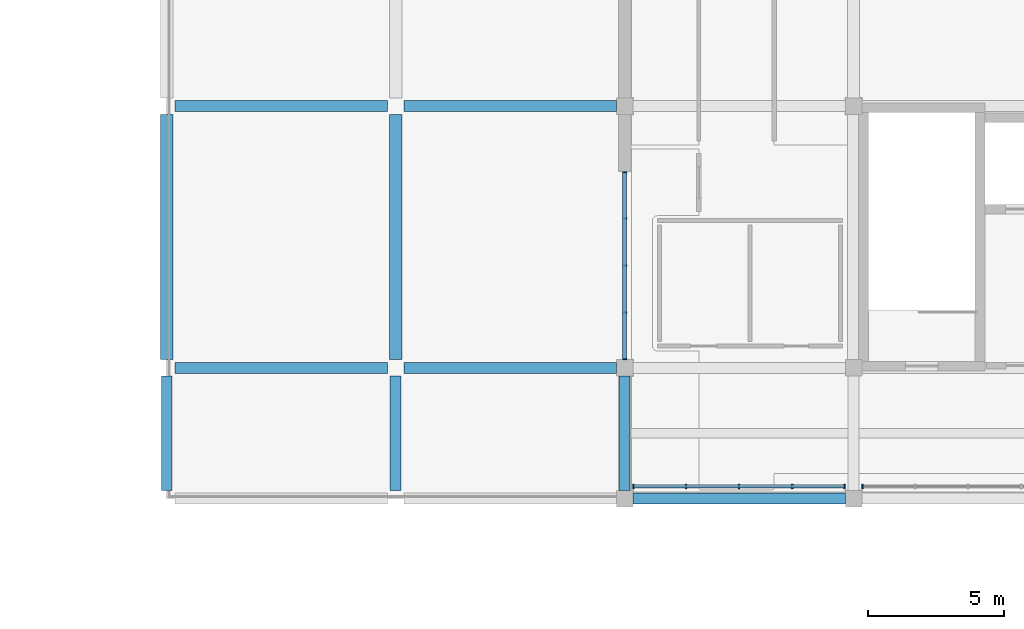
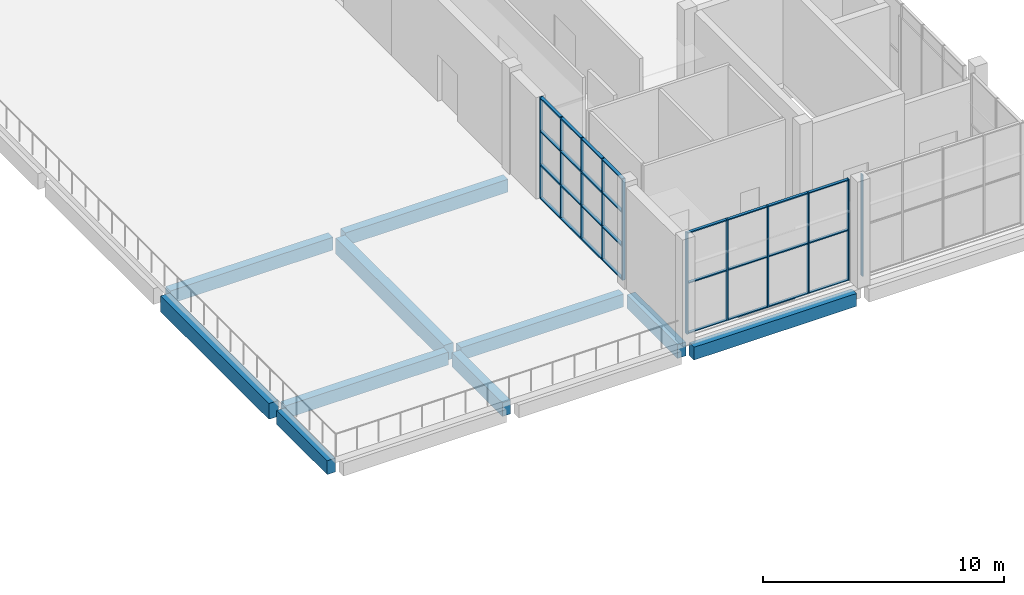
# One storey, part 2 of 15: 18 members, 10 beams, 3 elements without a shape of their own.
"""IFC4 building model written with IfcOpenShell, lengths in metres."""

from ifc_helpers import new_model, si_unit, direction, frame, origin, origin_2d, place, context, subcontext, project, spatial, rectangle, extrude, material, material_profile, profile_set, type_object, element, aggregate, save


model = new_model("IFC4")

# Units and contexts
model_context = context("Model", 3, precision=1e-05, world=origin(), true_north=direction((0.0, 1.0)))
body_context = subcontext(model_context, "Body", "Model", "MODEL_VIEW")
ifc_project = project(units=[si_unit("LENGTHUNIT", "METRE"), si_unit("AREAUNIT", "SQUARE_METRE"), si_unit("VOLUMEUNIT", "CUBIC_METRE"), si_unit("PLANEANGLEUNIT", "RADIAN"), si_unit("MASSUNIT", "GRAM", prefix="KILO")], contexts=[model_context])

# Site, building, storey
site_placement = place(None, origin())
site = spatial("IfcSite", under=ifc_project, at=site_placement, CompositionType="ELEMENT")
building_placement = place(site_placement, origin())
building = spatial("IfcBuilding", under=site, at=building_placement, Name="Shalvenor Court Art Gallery", CompositionType="ELEMENT")
storey_placement = place(building_placement, frame((0.0, 0.0, 27.0)))
storey = spatial("IfcBuildingStorey", under=building, at=storey_placement, Name="L05", CompositionType="ELEMENT", Elevation=27.0)

# Beams
ifc_material_1 = material(Name="Concrete C40/50", Category="concrete")
ifc_material_profile_1 = material_profile(ifc_material_1, rectangle(XDim=0.449951171875, YDim=0.800048828125, at=origin_2d()), Name="RC 450x800")
ifc_profile_set_1 = profile_set([ifc_material_profile_1], Name="Concrete C40/50")
beam_type_1 = type_object("IfcBeamType", Name="B-03", PredefinedType="BEAM", material=ifc_profile_set_1)
for number, where, z_axis, x_axis, name in (
    (1, (142.800048828125, 50.699951171875, -0.699951171875), (0.0, 1.0, 0.0), (-1.0, 0.0, 0.0), "L05 Girder BM-L05-B-03-1274"),
    (2, (151.199951171875, 50.699951171875, -0.699951171875), (0.0, 1.0, 0.0), (-1.0, 0.0, 0.0), "L05 Girder BM-L05-B-03-1280"),
):
    element("IfcBeam", number, at=place(storey_placement, frame(where, z_axis=z_axis, x_axis=x_axis)), inside=storey, type_object=beam_type_1, Name=name, PredefinedType="BEAM", context=body_context, shape_type="SweptSolid", body=[
        extrude(rectangle(XDim=0.449951171875, YDim=0.800048828125, at=origin_2d()), origin(), (0.0, 0.0, 1.0), 9.0),
    ])
ifc_material_2 = material(Name="Concrete C40/50", Category="concrete")
ifc_material_profile_2 = material_profile(ifc_material_2, rectangle(XDim=0.39990234375, YDim=0.699951171875, at=origin_2d()), Name="RC 400x700")
ifc_profile_set_2 = profile_set([ifc_material_profile_2], Name="Concrete C40/50")
beam_type_2 = type_object("IfcBeamType", Name="B-05", PredefinedType="BEAM", material=ifc_profile_set_2)
for number, where, z_axis, x_axis, name in (
    (3, (142.800048828125, 45.89990234375, -0.64990234375), (0.0, 1.0, 0.0), (-1.0, 0.0, 0.0), "L05 Girder BM-L05-B-05-1273"),
    (4, (151.199951171875, 45.89990234375, -0.64990234375), (0.0, 1.0, 0.0), (-1.0, 0.0, 0.0), "L05 Girder BM-L05-B-05-1279"),
    (5, (159.60009765625, 45.89990234375, -0.64990234375), (0.0, 1.0, 0.0), (-1.0, 0.0, 0.0), "L05 Girder BM-L05-B-05-1285"),
):
    element("IfcBeam", number, at=place(storey_placement, frame(where, z_axis=z_axis, x_axis=x_axis)), inside=storey, type_object=beam_type_2, Name=name, PredefinedType="BEAM", context=body_context, shape_type="SweptSolid", body=[
        extrude(rectangle(XDim=0.39990234375, YDim=0.699951171875, at=origin_2d()), origin(), (0.0, 0.0, 1.0), 4.2001953125),
    ])
ifc_material_3 = material(Name="Concrete C40/50", Category="concrete")
ifc_material_profile_3 = material_profile(ifc_material_3, rectangle(XDim=0.39990234375, YDim=0.64990234375, at=origin_2d()), Name="RC 400x650")
ifc_profile_set_3 = profile_set([ifc_material_profile_3], Name="Concrete C40/50")
beam_type_3 = type_object("IfcBeamType", Name="B-06", PredefinedType="BEAM", material=ifc_profile_set_3)
beam_1_placement = place(storey_placement, frame((159.89990234375, 45.60009765625, -0.625), z_axis=(1.0, 0.0, 0.0), x_axis=(0.0, 1.0, 0.0)))
element("IfcBeam", 6, at=beam_1_placement, inside=storey, type_object=beam_type_3, Name="L05 Girder BM-L05-B-06-1302", PredefinedType="BEAM", context=body_context, shape_type="SweptSolid", body=[
    extrude(rectangle(XDim=0.39990234375, YDim=0.64990234375, at=origin_2d()), origin(), (0.0, 0.0, 1.0), 7.800048828125),
])
beam_2_placement = place(storey_placement, frame((143.10009765625, 50.39990234375, -0.625), z_axis=(1.0, 0.0, 0.0), x_axis=(0.0, 1.0, 0.0)))
element("IfcBeam", 7, at=beam_2_placement, inside=storey, type_object=beam_type_3, Name="L05 Girder BM-L05-B-06-1304", PredefinedType="BEAM", context=body_context, shape_type="SweptSolid", body=[
    extrude(rectangle(XDim=0.39990234375, YDim=0.64990234375, at=origin_2d()), origin(), (0.0, 0.0, 1.0), 7.7998046875),
])
beam_3_placement = place(storey_placement, frame((151.5, 50.39990234375, -0.625), z_axis=(1.0, 0.0, 0.0), x_axis=(0.0, 1.0, 0.0)))
element("IfcBeam", 8, at=beam_3_placement, inside=storey, type_object=beam_type_3, Name="L05 Girder BM-L05-B-06-1305", PredefinedType="BEAM", context=body_context, shape_type="SweptSolid", body=[
    extrude(rectangle(XDim=0.39990234375, YDim=0.64990234375, at=origin_2d()), origin(), (0.0, 0.0, 1.0), 7.800048828125),
])
beam_4_placement = place(storey_placement, frame((143.10009765625, 60.0, -0.625), z_axis=(1.0, 0.0, 0.0), x_axis=(0.0, 1.0, 0.0)))
element("IfcBeam", 9, at=beam_4_placement, inside=storey, type_object=beam_type_3, Name="L05 Girder BM-L05-B-06-1308", PredefinedType="BEAM", context=body_context, shape_type="SweptSolid", body=[
    extrude(rectangle(XDim=0.39990234375, YDim=0.64990234375, at=origin_2d()), origin(), (0.0, 0.0, 1.0), 7.7998046875),
])
beam_5_placement = place(storey_placement, frame((151.5, 60.0, -0.625), z_axis=(1.0, 0.0, 0.0), x_axis=(0.0, 1.0, 0.0)))
element("IfcBeam", 10, at=beam_5_placement, inside=storey, type_object=beam_type_3, Name="L05 Girder BM-L05-B-06-1309", PredefinedType="BEAM", context=body_context, shape_type="SweptSolid", body=[
    extrude(rectangle(XDim=0.39990234375, YDim=0.64990234375, at=origin_2d()), origin(), (0.0, 0.0, 1.0), 7.800048828125),
])

# Curtain wall, member
ifc_material_4 = material(Name="Anodised aluminium and low-iron glass curtain wall", Category="aluminium")
curtain_wall_type_1 = type_object("IfcCurtainWallType", Name="CW-CLR-4-78", PredefinedType="USERDEFINED", material=ifc_material_4)
curtain_wall_1_placement = place(storey_placement, origin())
curtain_wall_1 = element("IfcCurtainWall", 11, at=curtain_wall_1_placement, inside=storey, type_object=curtain_wall_type_1, Name="L05 Dark Clerestory Curtain Wall CW-L05-049", ObjectType="CURTAIN WALL", PredefinedType="USERDEFINED")
ifc_material_5 = material(Name="Dark anodised bronze aluminium mullion", Category="aluminium")
ifc_material_profile_4 = material_profile(ifc_material_5, rectangle(XDim=0.06005859375, YDim=0.159912109375, at=origin_2d()), Name="CWM-03")
ifc_profile_set_4 = profile_set([ifc_material_profile_4], Name="Dark anodised bronze aluminium mullion")
member_type_1 = type_object("IfcMemberType", Name="CWM-03", PredefinedType="MULLION", material=ifc_profile_set_4)
member_1_placement = place(storey_placement, frame((168.330078125, 46.050048828125, 0.0), z_axis=(0.0, 0.0, 1.0), x_axis=(-1.0, 0.0, 0.0)))
member_1 = element("IfcMember", 12, at=member_1_placement, type_object=member_type_1, Name="CW-CLR-4-78 mullion 5", PredefinedType="MULLION", context=body_context, shape_type="SweptSolid", body=[
    extrude(rectangle(XDim=0.06005859375, YDim=0.159912109375, at=origin_2d()), origin(), (0.0, 0.0, 1.0), 5.139892578125),
])
aggregate(curtain_wall_1, [member_1])

# Curtain wall, members
curtain_wall_2_placement = place(storey_placement, origin())
curtain_wall_2 = element("IfcCurtainWall", 13, at=curtain_wall_2_placement, inside=storey, type_object=curtain_wall_type_1, Name="L05 Dark Clerestory Curtain Wall CW-L05-050", ObjectType="CURTAIN WALL", PredefinedType="USERDEFINED")
member_2_placement = place(storey_placement, frame((167.669921875, 46.050048828125, 0.0), z_axis=(0.0, 0.0, 1.0), x_axis=(-1.0, 0.0, 0.0)))
member_2 = element("IfcMember", 14, at=member_2_placement, type_object=member_type_1, Name="CW-CLR-4-78 mullion 1", PredefinedType="MULLION", context=body_context, shape_type="SweptSolid", body=[
    extrude(rectangle(XDim=0.06005859375, YDim=0.159912109375, at=origin_2d()), origin(), (0.0, 0.0, 1.0), 5.139892578125),
])
member_3_placement = place(storey_placement, frame((165.75, 46.050048828125, 0.0), z_axis=(0.0, 0.0, 1.0), x_axis=(-1.0, 0.0, 0.0)))
member_3 = element("IfcMember", 15, at=member_3_placement, type_object=member_type_1, Name="CW-CLR-4-78 mullion 2", PredefinedType="MULLION", context=body_context, shape_type="SweptSolid", body=[
    extrude(rectangle(XDim=0.06005859375, YDim=0.159912109375, at=origin_2d()), origin(), (0.0, 0.0, 1.0), 5.139892578125),
])
member_4_placement = place(storey_placement, frame((163.800048828125, 46.050048828125, 0.0), z_axis=(0.0, 0.0, 1.0), x_axis=(-1.0, 0.0, 0.0)))
member_4 = element("IfcMember", 16, at=member_4_placement, type_object=member_type_1, Name="CW-CLR-4-78 mullion 3", PredefinedType="MULLION", context=body_context, shape_type="SweptSolid", body=[
    extrude(rectangle(XDim=0.06005859375, YDim=0.159912109375, at=origin_2d()), origin(), (0.0, 0.0, 1.0), 5.139892578125),
])
member_5_placement = place(storey_placement, frame((161.85009765625, 46.050048828125, 0.0), z_axis=(0.0, 0.0, 1.0), x_axis=(-1.0, 0.0, 0.0)))
member_5 = element("IfcMember", 17, at=member_5_placement, type_object=member_type_1, Name="CW-CLR-4-78 mullion 4", PredefinedType="MULLION", context=body_context, shape_type="SweptSolid", body=[
    extrude(rectangle(XDim=0.06005859375, YDim=0.159912109375, at=origin_2d()), origin(), (0.0, 0.0, 1.0), 5.139892578125),
])
member_6_placement = place(storey_placement, frame((159.929931640625, 46.050048828125, 0.0), z_axis=(0.0, 0.0, 1.0), x_axis=(-1.0, 0.0, 0.0)))
member_6 = element("IfcMember", 18, at=member_6_placement, type_object=member_type_1, Name="CW-CLR-4-78 mullion 5", PredefinedType="MULLION", context=body_context, shape_type="SweptSolid", body=[
    extrude(rectangle(XDim=0.06005859375, YDim=0.159912109375, at=origin_2d()), origin(), (0.0, 0.0, 1.0), 5.139892578125),
])

ifc_material_6 = material(Name="Anodised aluminium and low-iron glass curtain wall", Category="aluminium")
curtain_wall_type_2 = type_object("IfcCurtainWallType", Name="CW-4x3-69-51-612", PredefinedType="USERDEFINED", material=ifc_material_6)
curtain_wall_3_placement = place(storey_placement, origin())
curtain_wall_3 = element("IfcCurtainWall", 19, at=curtain_wall_3_placement, inside=storey, type_object=curtain_wall_type_2, Name="L05 V1 Curtain Wall CW-L05-051", ObjectType="CURTAIN WALL", PredefinedType="USERDEFINED")
ifc_material_7 = material(Name="Anodised aluminium mullion", Category="aluminium")
ifc_material_profile_5 = material_profile(ifc_material_7, rectangle(XDim=0.054931640625, YDim=0.139892578125, at=origin_2d()), Name="CWM-06")
ifc_profile_set_5 = profile_set([ifc_material_profile_5], Name="Anodised aluminium mullion")
member_type_2 = type_object("IfcMemberType", Name="CWM-06", PredefinedType="MULLION", material=ifc_profile_set_5)
member_7_placement = place(storey_placement, frame((159.60009765625, 50.7275390625, 0.0), z_axis=(0.0, 0.0, 1.0), x_axis=(0.0, 1.0, 0.0)))
member_7 = element("IfcMember", 20, at=member_7_placement, type_object=member_type_2, Name="CW-4x3-69-51-612 mullion 1", PredefinedType="MULLION", context=body_context, shape_type="SweptSolid", body=[
    extrude(rectangle(XDim=0.054931640625, YDim=0.139892578125, at=origin_2d()), origin(), (0.0, 0.0, 1.0), 5.139892578125),
])
member_8_placement = place(storey_placement, frame((159.60009765625, 52.425048828125, 0.0), z_axis=(0.0, 0.0, 1.0), x_axis=(0.0, 1.0, 0.0)))
member_8 = element("IfcMember", 21, at=member_8_placement, type_object=member_type_2, Name="CW-4x3-69-51-612 mullion 2", PredefinedType="MULLION", context=body_context, shape_type="SweptSolid", body=[
    extrude(rectangle(XDim=0.054931640625, YDim=0.139892578125, at=origin_2d()), origin(), (0.0, 0.0, 1.0), 5.139892578125),
])
member_9_placement = place(storey_placement, frame((159.60009765625, 54.14990234375, 0.0), z_axis=(0.0, 0.0, 1.0), x_axis=(0.0, 1.0, 0.0)))
member_9 = element("IfcMember", 22, at=member_9_placement, type_object=member_type_2, Name="CW-4x3-69-51-612 mullion 3", PredefinedType="MULLION", context=body_context, shape_type="SweptSolid", body=[
    extrude(rectangle(XDim=0.054931640625, YDim=0.139892578125, at=origin_2d()), origin(), (0.0, 0.0, 1.0), 5.139892578125),
])
member_10_placement = place(storey_placement, frame((159.60009765625, 55.875, 0.0), z_axis=(0.0, 0.0, 1.0), x_axis=(0.0, 1.0, 0.0)))
member_10 = element("IfcMember", 23, at=member_10_placement, type_object=member_type_2, Name="CW-4x3-69-51-612 mullion 4", PredefinedType="MULLION", context=body_context, shape_type="SweptSolid", body=[
    extrude(rectangle(XDim=0.054931640625, YDim=0.139892578125, at=origin_2d()), origin(), (0.0, 0.0, 1.0), 5.139892578125),
])
member_11_placement = place(storey_placement, frame((159.60009765625, 57.572509765625, 0.0), z_axis=(0.0, 0.0, 1.0), x_axis=(0.0, 1.0, 0.0)))
member_11 = element("IfcMember", 24, at=member_11_placement, type_object=member_type_2, Name="CW-4x3-69-51-612 mullion 5", PredefinedType="MULLION", context=body_context, shape_type="SweptSolid", body=[
    extrude(rectangle(XDim=0.054931640625, YDim=0.139892578125, at=origin_2d()), origin(), (0.0, 0.0, 1.0), 5.139892578125),
])
ifc_material_8 = material(Name="Anodised aluminium transom", Category="aluminium")
ifc_material_profile_6 = material_profile(ifc_material_8, rectangle(XDim=0.14990234375, YDim=0.06005859375, at=origin_2d()), Name="CWT-01")
ifc_profile_set_6 = profile_set([ifc_material_profile_6], Name="Anodised aluminium transom")
member_type_3 = type_object("IfcMemberType", Name="CWT-01", PredefinedType="USERDEFINED", material=ifc_profile_set_6)
member_12_placement = place(storey_placement, frame((159.60009765625, 50.7275390625, 0.030029296875), z_axis=(0.0, 1.0, 0.0), x_axis=(-1.0, 0.0, 0.0)))
member_12 = element("IfcMember", 25, at=member_12_placement, type_object=member_type_3, Name="CW-4x3-69-51-612 transom 1", ObjectType="TRANSOM", PredefinedType="USERDEFINED", context=body_context, shape_type="SweptSolid", body=[
    extrude(rectangle(XDim=0.14990234375, YDim=0.06005859375, at=origin_2d()), origin(), (0.0, 0.0, 1.0), 6.844970703125),
])
member_13_placement = place(storey_placement, frame((159.60009765625, 50.7275390625, 1.71337890625), z_axis=(0.0, 1.0, 0.0), x_axis=(-1.0, 0.0, 0.0)))
member_13 = element("IfcMember", 26, at=member_13_placement, type_object=member_type_3, Name="CW-4x3-69-51-612 transom 2", ObjectType="TRANSOM", PredefinedType="USERDEFINED", context=body_context, shape_type="SweptSolid", body=[
    extrude(rectangle(XDim=0.14990234375, YDim=0.06005859375, at=origin_2d()), origin(), (0.0, 0.0, 1.0), 6.844970703125),
])
member_14_placement = place(storey_placement, frame((159.60009765625, 50.7275390625, 3.4267578125), z_axis=(0.0, 1.0, 0.0), x_axis=(-1.0, 0.0, 0.0)))
member_14 = element("IfcMember", 27, at=member_14_placement, type_object=member_type_3, Name="CW-4x3-69-51-612 transom 3", ObjectType="TRANSOM", PredefinedType="USERDEFINED", context=body_context, shape_type="SweptSolid", body=[
    extrude(rectangle(XDim=0.14990234375, YDim=0.06005859375, at=origin_2d()), origin(), (0.0, 0.0, 1.0), 6.844970703125),
])
member_15_placement = place(storey_placement, frame((159.60009765625, 50.7275390625, 5.110107421875), z_axis=(0.0, 1.0, 0.0), x_axis=(-1.0, 0.0, 0.0)))
member_15 = element("IfcMember", 28, at=member_15_placement, type_object=member_type_3, Name="CW-4x3-69-51-612 transom 4", ObjectType="TRANSOM", PredefinedType="USERDEFINED", context=body_context, shape_type="SweptSolid", body=[
    extrude(rectangle(XDim=0.14990234375, YDim=0.06005859375, at=origin_2d()), origin(), (0.0, 0.0, 1.0), 6.844970703125),
])
aggregate(curtain_wall_3, [member_7, member_8, member_9, member_10, member_11, member_12, member_13, member_14, member_15])

# Member
ifc_material_9 = material(Name="Dark anodised bronze aluminium transom", Category="aluminium")
ifc_material_profile_7 = material_profile(ifc_material_9, rectangle(XDim=0.135009765625, YDim=0.054931640625, at=origin_2d()), Name="CWT-03")
ifc_profile_set_7 = profile_set([ifc_material_profile_7], Name="Dark anodised bronze aluminium transom")
member_type_4 = type_object("IfcMemberType", Name="CWT-03", PredefinedType="USERDEFINED", material=ifc_profile_set_7)
member_16_placement = place(storey_placement, frame((167.669921875, 46.050048828125, 0.027587890625), z_axis=(-1.0, 0.0, 0.0), x_axis=(0.0, -1.0, 0.0)))
member_16 = element("IfcMember", 29, at=member_16_placement, type_object=member_type_4, Name="CW-CLR-4-78 transom 1", ObjectType="TRANSOM", PredefinedType="USERDEFINED", context=body_context, shape_type="SweptSolid", body=[
    extrude(rectangle(XDim=0.135009765625, YDim=0.054931640625, at=origin_2d()), origin(), (0.0, 0.0, 1.0), 7.739990234375),
])

member_17_placement = place(storey_placement, frame((167.669921875, 46.050048828125, 2.570068359375), z_axis=(-1.0, 0.0, 0.0), x_axis=(0.0, -1.0, 0.0)))
member_17 = element("IfcMember", 30, at=member_17_placement, type_object=member_type_4, Name="CW-CLR-4-78 transom 2", ObjectType="TRANSOM", PredefinedType="USERDEFINED", context=body_context, shape_type="SweptSolid", body=[
    extrude(rectangle(XDim=0.135009765625, YDim=0.054931640625, at=origin_2d()), origin(), (0.0, 0.0, 1.0), 7.739990234375),
])

member_18_placement = place(storey_placement, frame((167.669921875, 46.050048828125, 5.112548828125), z_axis=(-1.0, 0.0, 0.0), x_axis=(0.0, -1.0, 0.0)))
member_18 = element("IfcMember", 31, at=member_18_placement, type_object=member_type_4, Name="CW-CLR-4-78 transom 3", ObjectType="TRANSOM", PredefinedType="USERDEFINED", context=body_context, shape_type="SweptSolid", body=[
    extrude(rectangle(XDim=0.135009765625, YDim=0.054931640625, at=origin_2d()), origin(), (0.0, 0.0, 1.0), 7.739990234375),
])

aggregate(curtain_wall_2, [member_2, member_3, member_4, member_5, member_6, member_16, member_17, member_18])

save(model, "model.ifc")
